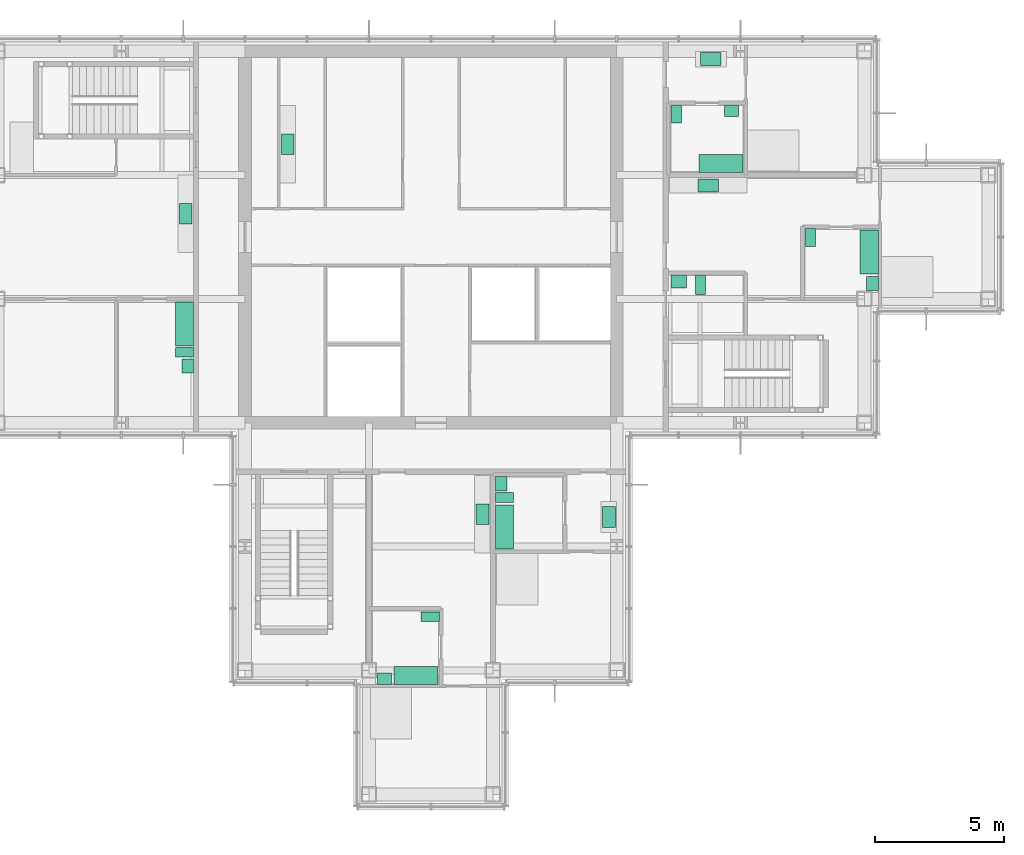
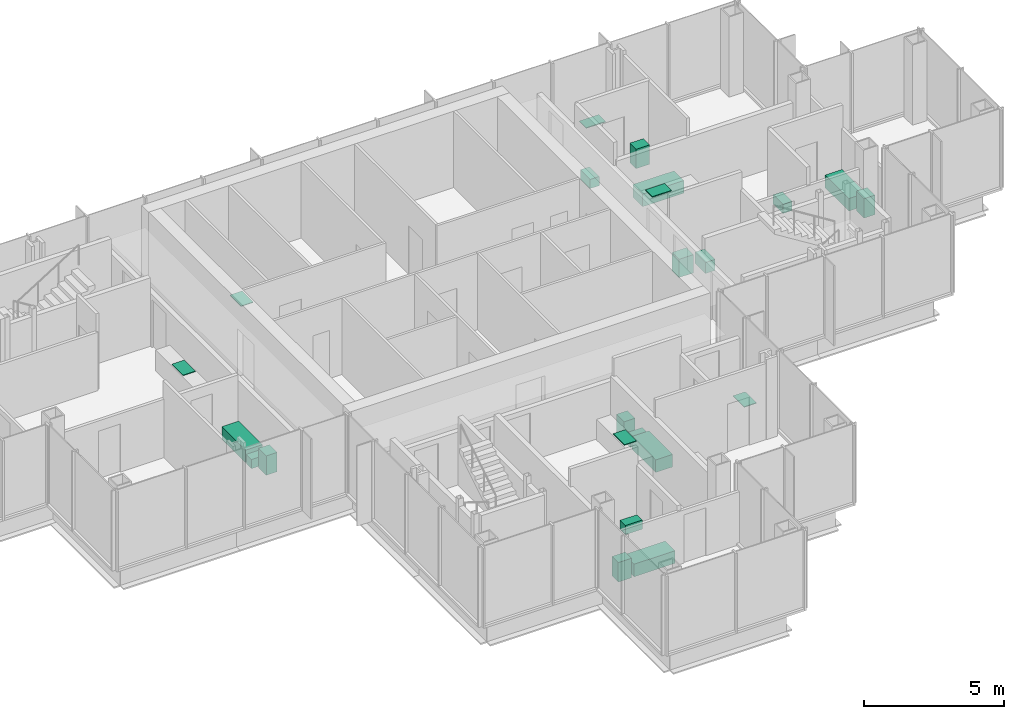
# One storey, part 14 of 15: 23 sanitary terminals.
"""IFC4 building model written with IfcOpenShell, lengths in metres."""

from ifc_helpers import new_model, si_unit, direction, frame, origin, origin_2d, place, context, subcontext, project, spatial, rectangle, extrude, material, type_object, element, save


model = new_model("IFC4")

# Units and contexts
model_context = context("Model", 3, precision=1e-05, world=origin(), true_north=direction((0.0, 1.0)))
body_context = subcontext(model_context, "Body", "Model", "MODEL_VIEW")
ifc_project = project(units=[si_unit("LENGTHUNIT", "METRE"), si_unit("AREAUNIT", "SQUARE_METRE"), si_unit("VOLUMEUNIT", "CUBIC_METRE"), si_unit("PLANEANGLEUNIT", "RADIAN"), si_unit("MASSUNIT", "GRAM", prefix="KILO")], contexts=[model_context])

# Site, building, storey
site_placement = place(None, origin())
site = spatial("IfcSite", under=ifc_project, at=site_placement, CompositionType="ELEMENT")
building_placement = place(site_placement, origin())
building = spatial("IfcBuilding", under=site, at=building_placement, Name="Kvirike Care Tower", CompositionType="ELEMENT")
storey_placement = place(building_placement, frame((0.0, 0.0, 222.5)))
storey = spatial("IfcBuildingStorey", under=building, at=storey_placement, Name="L61", CompositionType="ELEMENT", Elevation=222.5)

# Sanitary terminals
ifc_material_1 = material(Name="Vitreous china", Category="ceramic")
sanitary_terminal_type_1 = type_object("IfcSanitaryTerminalType", Name="ACCESSIBLE WASH BASIN 600 x 500", PredefinedType="WASHHANDBASIN", material=ifc_material_1)
sanitary_terminal_1_placement = place(storey_placement, frame((31.199951171875, 34.27294921875, 0.02001953125), z_axis=(0.0, 0.0, 1.0), x_axis=(1.0, 0.0, 0.0)))
element("IfcSanitaryTerminal", 1, at=sanitary_terminal_1_placement, inside=storey, type_object=sanitary_terminal_type_1, Name="Accessible wash basin L61-021", PredefinedType="WASHHANDBASIN", context=body_context, shape_type="SweptSolid", body=[
    extrude(rectangle(XDim=0.60009765625, YDim=0.5, at=origin_2d()), origin(), (0.0, 0.0, 1.0), 0.800048828125),
])
ifc_material_2 = material(Name="Vitreous china", Category="ceramic")
sanitary_terminal_type_2 = type_object("IfcSanitaryTerminalType", Name="ACCESSIBLE WC PAN 400 x 750", PredefinedType="TOILETPAN", material=ifc_material_2)
sanitary_terminal_2_placement = place(storey_placement, frame((32.050048828125, 34.14794921875, 0.02001953125), z_axis=(0.0, 0.0, 1.0), x_axis=(1.0, 0.0, 0.0)))
element("IfcSanitaryTerminal", 2, at=sanitary_terminal_2_placement, inside=storey, type_object=sanitary_terminal_type_2, Name="Accessible WC pan L61-021", PredefinedType="TOILETPAN", context=body_context, shape_type="SweptSolid", body=[
    extrude(rectangle(XDim=0.39990234375, YDim=0.75, at=origin_2d()), origin(), (0.0, 0.0, 1.0), 0.47998046875),
])
ifc_material_3 = material(Name="Enamelled steel", Category="steel")
sanitary_terminal_type_3 = type_object("IfcSanitaryTerminalType", Name="BATH 1700 x 700", PredefinedType="BATH", material=ifc_material_3)
for number, where, z_axis, x_axis, name in (
    (3, (12.048095703125, 32.625, 0.02001953125), (0.0, 0.0, 1.0), (0.0, -1.0, 0.0), "Bath L61-006"),
    (4, (21.02490234375, 19.011962890625, 0.02001953125), (0.0, 0.0, 1.0), (-1.0, 0.0, 0.0), "Bath L61-012"),
    (5, (24.451904296875, 24.760009765625, 0.02001953125), (0.0, 0.0, 1.0), (0.0, 1.0, 0.0), "Bath L61-015"),
    (6, (38.587890625, 35.425048828125, 0.02001953125), (0.0, 0.0, 1.0), (0.0, -1.0, 0.0), "Bath L61-022"),
    (7, (32.840087890625, 38.85205078125, 0.02001953125), (0.0, 0.0, 1.0), (-1.0, 0.0, 0.0), "Bath L61-025"),
):
    element("IfcSanitaryTerminal", number, at=place(storey_placement, frame(where, z_axis=z_axis, x_axis=x_axis)), inside=storey, type_object=sanitary_terminal_type_3, Name=name, PredefinedType="BATH", context=body_context, shape_type="SweptSolid", body=[
        extrude(rectangle(XDim=1.699951171875, YDim=0.699951171875, at=origin_2d()), origin(), (0.0, 0.0, 1.0), 0.550048828125),
    ])
ifc_material_4 = material(Name="Stainless steel", Category="steel")
sanitary_terminal_type_4 = type_object("IfcSanitaryTerminalType", Name="KITCHEN SINK 800 x 500", PredefinedType="SINK", material=ifc_material_4)
for number, where, z_axis, x_axis, name in (
    (8, (12.097900390625, 36.89990234375, 0.89990234375), (0.0, 0.0, 1.0), (0.0, -1.0, 0.0), "Kitchen sink L61-007"),
    (9, (23.597900390625, 25.25, 0.89990234375), (0.0, 0.0, 1.0), (0.0, -1.0, 0.0), "Kitchen sink L61-013"),
    (10, (28.498046875, 25.14990234375, 0.89990234375), (0.0, 0.0, 1.0), (0.0, -1.0, 0.0), "Kitchen sink L61-016"),
    (11, (32.35009765625, 37.998046875, 0.89990234375), (0.0, 0.0, 1.0), (1.0, 0.0, 0.0), "Kitchen sink L61-023"),
    (12, (32.449951171875, 42.89794921875, 0.89990234375), (0.0, 0.0, 1.0), (1.0, 0.0, 0.0), "Kitchen sink L61-026"),
    (13, (16.052001953125, 39.60009765625, 0.89990234375), (0.0, 0.0, 1.0), (0.0, 1.0, 0.0), "Kitchen sink L61-033"),
):
    element("IfcSanitaryTerminal", number, at=place(storey_placement, frame(where, z_axis=z_axis, x_axis=x_axis)), inside=storey, type_object=sanitary_terminal_type_4, Name=name, PredefinedType="SINK", context=body_context, shape_type="SweptSolid", body=[
        extrude(rectangle(XDim=0.800048828125, YDim=0.5, at=origin_2d()), origin(), (0.0, 0.0, 1.0), 0.030029296875),
    ])
ifc_material_5 = material(Name="Vitreous china", Category="ceramic")
sanitary_terminal_type_5 = type_object("IfcSanitaryTerminalType", Name="WASH BASIN 550 x 450", PredefinedType="WASHHANDBASIN", material=ifc_material_5)
for number, where, z_axis, x_axis, name in (
    (14, (12.173095703125, 31.0, 0.02001953125), (0.0, 0.0, 1.0), (0.0, -1.0, 0.0), "Wash basin L61-006"),
    (15, (19.800048828125, 18.886962890625, 0.02001953125), (0.0, 0.0, 1.0), (-1.0, 0.0, 0.0), "Wash basin L61-012"),
    (16, (24.326904296875, 26.43505859375, 0.02001953125), (0.0, 0.0, 1.0), (0.0, 1.0, 0.0), "Wash basin L61-015"),
    (17, (38.712890625, 34.199951171875, 0.02001953125), (0.0, 0.0, 1.0), (0.0, -1.0, 0.0), "Wash basin L61-022"),
    (18, (33.25, 40.89794921875, 0.02001953125), (0.0, 0.0, 1.0), (1.0, 0.0, 0.0), "Wash basin L61-025"),
):
    element("IfcSanitaryTerminal", number, at=place(storey_placement, frame(where, z_axis=z_axis, x_axis=x_axis)), inside=storey, type_object=sanitary_terminal_type_5, Name=name, PredefinedType="WASHHANDBASIN", context=body_context, shape_type="SweptSolid", body=[
        extrude(rectangle(XDim=0.550048828125, YDim=0.449951171875, at=origin_2d()), origin(), (0.0, 0.0, 1.0), 0.85009765625),
    ])
ifc_material_6 = material(Name="Vitreous china", Category="ceramic")
sanitary_terminal_type_6 = type_object("IfcSanitaryTerminalType", Name="WC PAN 380 x 700", PredefinedType="TOILETPAN", material=ifc_material_6)
for number, where, z_axis, x_axis, name in (
    (19, (12.048095703125, 31.534912109375, 0.02001953125), (0.0, 0.0, 1.0), (0.0, -1.0, 0.0), "WC pan L61-006"),
    (20, (21.572998046875, 21.284912109375, 0.02001953125), (0.0, 0.0, 1.0), (0.0, -1.0, 0.0), "WC pan L61-012"),
    (21, (24.451904296875, 25.89990234375, 0.02001953125), (0.0, 0.0, 1.0), (0.0, 1.0, 0.0), "WC pan L61-015"),
    (22, (36.31494140625, 35.972900390625, 0.02001953125), (0.0, 0.0, 1.0), (1.0, 0.0, 0.0), "WC pan L61-022"),
    (23, (31.114990234375, 40.77294921875, 0.02001953125), (0.0, 0.0, 1.0), (1.0, 0.0, 0.0), "WC pan L61-025"),
):
    element("IfcSanitaryTerminal", number, at=place(storey_placement, frame(where, z_axis=z_axis, x_axis=x_axis)), inside=storey, type_object=sanitary_terminal_type_6, Name=name, PredefinedType="TOILETPAN", context=body_context, shape_type="SweptSolid", body=[
        extrude(rectangle(XDim=0.3798828125, YDim=0.699951171875, at=origin_2d()), origin(), (0.0, 0.0, 1.0), 0.39990234375),
    ])

save(model, "model.ifc")
